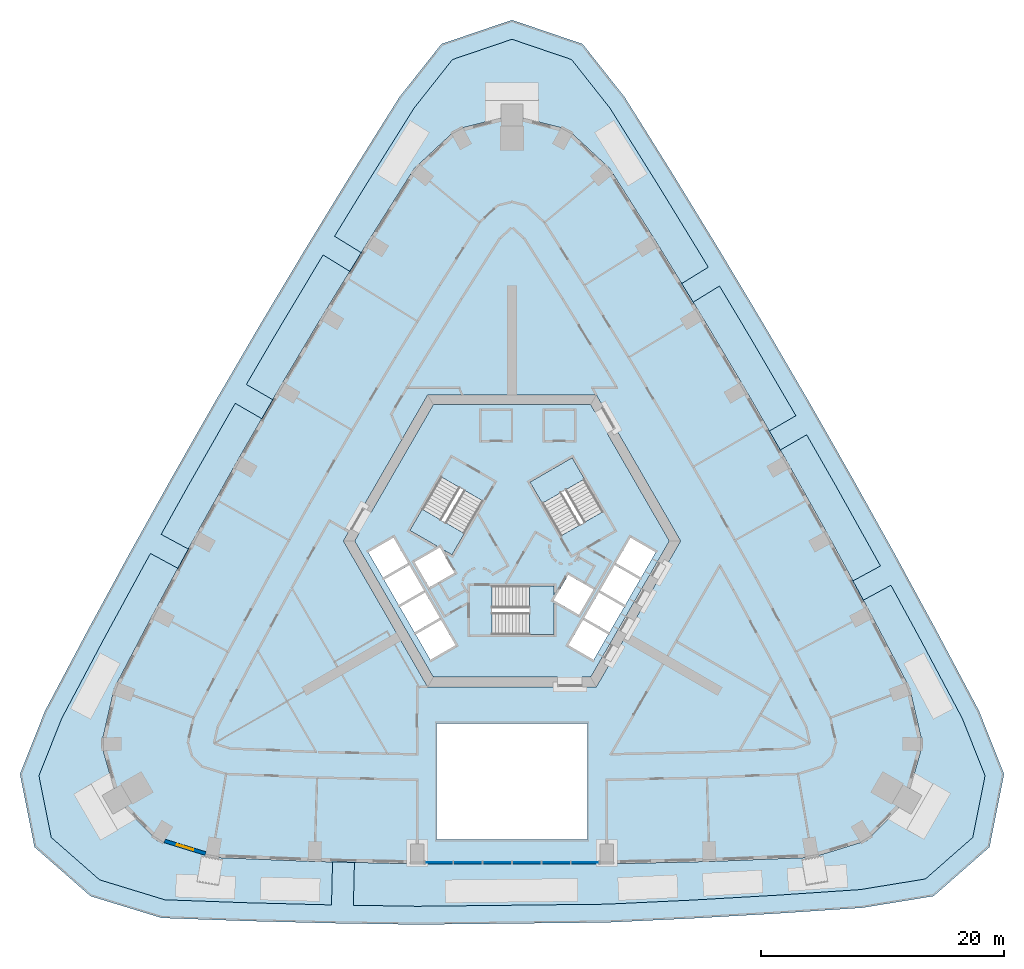
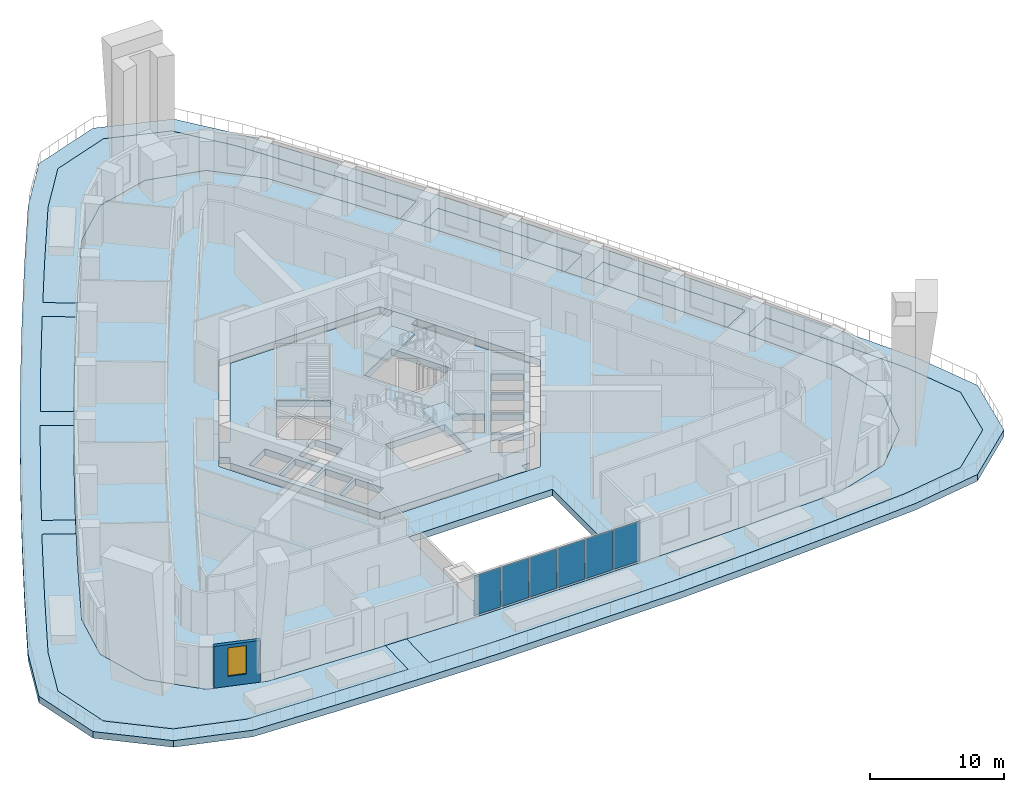
# One storey, part 3 of 16: 13 slabs, 6 plates, 1 wall, 1 window, 1 opening, 4 elements without a shape of their own.
"""IFC4 building model written with IfcOpenShell, lengths in metres."""

from ifc_helpers import new_model, si_unit, direction, frame, frame_2d, origin, origin_2d, place, context, subcontext, project, spatial, polyline, rectangle, outline, extrude, material, layer, layer_set, type_object, element, fill, aggregate, save


model = new_model("IFC4")

# Units and contexts
model_context = context("Model", 3, precision=1e-05, world=origin(), true_north=direction((0.0, 1.0)))
body_context = subcontext(model_context, "Body", "Model", "MODEL_VIEW")
ifc_project = project(units=[si_unit("LENGTHUNIT", "METRE"), si_unit("AREAUNIT", "SQUARE_METRE"), si_unit("VOLUMEUNIT", "CUBIC_METRE"), si_unit("PLANEANGLEUNIT", "RADIAN"), si_unit("MASSUNIT", "GRAM", prefix="KILO")], contexts=[model_context])

# Site, building, storey
site_placement = place(None, origin())
site = spatial("IfcSite", under=ifc_project, at=site_placement, CompositionType="ELEMENT")
building_placement = place(site_placement, origin())
building = spatial("IfcBuilding", under=site, at=building_placement, Name="Entoto Arch Interchange Tower", CompositionType="ELEMENT")
storey_placement = place(building_placement, frame((0.0, 0.0, 138.199951171875)))
storey = spatial("IfcBuildingStorey", under=building, at=storey_placement, Name="L30", CompositionType="ELEMENT", Elevation=138.199951171875)

# Slab
ifc_material_1 = material(Name="Concrete C40/50", Category="concrete")
ifc_layer_1 = layer(ifc_material_1, 0.60009765625)
ifc_layer_set_1 = layer_set([ifc_layer_1], Name="Concrete C40/50")
slab_type_1 = type_object("IfcSlabType", Name="Core floor slab 600 C40/50", PredefinedType="FLOOR", material=ifc_layer_set_1)
slab_1_placement = place(storey_placement, frame((0.0, 0.0, -0.599853515625)))
element("IfcSlab", 1, at=slab_1_placement, inside=storey, type_object=slab_type_1, Name="Core floor slab L30", PredefinedType="FLOOR", context=body_context, shape_type="SweptSolid", body=[
    extrude(outline(polyline([(5.75, -9.5), (3.75, -9.5), (3.75, -8.699951171875), (-6.466064453125, -8.699951171875), (-12.93310546875, 2.5), (-12.574951171875, 3.1201171875), (-13.26708984375, 3.52001953125), (-12.26708984375, 5.251953125), (-11.574951171875, 4.85205078125), (-6.466064453125, 13.699951171875), (6.466064453125, 13.699951171875), (6.823974609375, 13.080078125), (7.51708984375, 13.47998046875), (8.51708984375, 11.748046875), (7.823974609375, 11.347900390625), (12.93310546875, 2.5), (6.466064453125, -8.699951171875), (5.75, -8.699951171875), (5.75, -9.5)]), holes=[polyline([(-5.837890625, -3.988037109375), (-7.916015625, -5.18798828125), (-6.716064453125, -7.26708984375), (-4.637939453125, -6.06689453125), (-5.837890625, -3.988037109375)]), polyline([(-5.93798828125, -3.81494140625), (-7.137939453125, -1.737060546875), (-9.216064453125, -2.93701171875), (-8.01611328125, -5.014892578125), (-5.93798828125, -3.81494140625)]), polyline([(5.5048828125, -3.56494140625), (6.705078125, -1.487060546875), (4.626953125, -0.287109375), (3.449951171875, -2.324951171875), (3.449951171875, -1.199951171875), (-1.64990234375, -1.199951171875), (-1.64990234375, -5.199951171875), (3.449951171875, -5.199951171875), (3.449951171875, -2.3779296875), (5.5048828125, -3.56494140625)]), polyline([(-8.43798828125, 0.514892578125), (-10.51611328125, -0.68505859375), (-9.31591796875, -2.762939453125), (-7.238037109375, -1.56298828125), (-8.43798828125, 0.514892578125)]), polyline([(-4.72705078125, -0.113037109375), (-5.904052734375, 1.925048828125), (-4.928955078125, 1.362060546875), (-2.37890625, 5.779052734375), (-5.843017578125, 7.779052734375), (-8.39306640625, 3.362060546875), (-5.949951171875, 1.951904296875), (-8.0048828125, 0.764892578125), (-6.804931640625, -1.31298828125), (-4.72705078125, -0.113037109375)]), polyline([(-8.5380859375, 0.68798828125), (-9.738037109375, 2.76708984375), (-11.81591796875, 1.56689453125), (-10.615966796875, -0.511962890625), (-8.5380859375, 0.68798828125)]), polyline([(5.837890625, -3.988037109375), (4.637939453125, -6.06689453125), (6.716064453125, -7.26708984375), (7.916015625, -5.18798828125), (5.837890625, -3.988037109375)]), polyline([(7.137939453125, -1.737060546875), (5.93798828125, -3.81494140625), (8.01611328125, -5.014892578125), (9.216064453125, -2.93701171875), (7.137939453125, -1.737060546875)]), polyline([(8.43798828125, 0.514892578125), (7.238037109375, -1.56298828125), (9.31591796875, -2.762939453125), (10.51611328125, -0.68505859375), (8.43798828125, 0.514892578125)]), polyline([(9.738037109375, 2.76708984375), (8.5380859375, 0.68798828125), (10.615966796875, -0.511962890625), (11.81591796875, 1.56689453125), (9.738037109375, 2.76708984375)]), polyline([(4.029052734375, 2.9208984375), (7.492919921875, 4.9208984375), (4.943115234375, 9.337890625), (1.47900390625, 7.337890625), (4.029052734375, 2.9208984375)])]), origin(), (0.0, 0.0, 1.0), 0.599853515625),
])

# Stair, slab
stair_type = type_object("IfcStairType", Name="EXIT STAIR RC 1800", PredefinedType="HALF_TURN_STAIR", material=ifc_material_1)
stair_1_placement = place(storey_placement, origin())
stair_1 = element("IfcStair", 2, at=stair_1_placement, inside=storey, type_object=stair_type, Name="L30 Exit stair S", PredefinedType="HALF_TURN_STAIR")
ifc_layer_2 = layer(ifc_material_1, 0.199951171875)
ifc_layer_set_2 = layer_set([ifc_layer_2], Name="Concrete C40/50")
slab_type_2 = type_object("IfcSlabType", Name="EXIT STAIR LANDING RC 200", PredefinedType="LANDING", material=ifc_layer_set_2)
slab_2_placement = place(storey_placement, frame((0.0, 0.0, 1.900146484375)))
slab_2 = element("IfcSlab", 3, at=slab_2_placement, type_object=slab_type_2, Name="ST-S landing 1", PredefinedType="LANDING", context=body_context, shape_type="SweptSolid", body=[
    extrude(outline(polyline([(1.429931640625, -5.199951171875), (3.449951171875, -5.199951171875), (3.449951171875, -1.199951171875), (1.429931640625, -1.199951171875), (1.429931640625, -5.199951171875)])), origin(), (0.0, 0.0, 1.0), 0.199951171875),
])
aggregate(stair_1, [slab_2])

stair_2_placement = place(storey_placement, origin())
stair_2 = element("IfcStair", 4, at=stair_2_placement, inside=storey, type_object=stair_type, Name="L30 Exit stair NE", PredefinedType="HALF_TURN_STAIR")
slab_3_placement = place(storey_placement, frame((0.0, 0.0, 1.900146484375)))
slab_3 = element("IfcSlab", 5, at=slab_3_placement, type_object=slab_type_2, Name="ST-NE landing 1", PredefinedType="LANDING", context=body_context, shape_type="SweptSolid", body=[
    extrude(outline(polyline([(5.953369140625, 7.58837890625), (4.943359375, 9.337890625), (1.479248046875, 7.337890625), (2.4892578125, 5.58837890625), (5.953369140625, 7.58837890625)])), origin(), (0.0, 0.0, 1.0), 0.199951171875),
])
aggregate(stair_2, [slab_3])

stair_3_placement = place(storey_placement, origin())
stair_3 = element("IfcStair", 6, at=stair_3_placement, inside=storey, type_object=stair_type, Name="L30 Exit stair NW", PredefinedType="HALF_TURN_STAIR")
slab_4_placement = place(storey_placement, frame((0.0, 0.0, 1.900146484375)))
slab_4 = element("IfcSlab", 7, at=slab_4_placement, type_object=slab_type_2, Name="ST-NW landing 1", PredefinedType="LANDING", context=body_context, shape_type="SweptSolid", body=[
    extrude(outline(polyline([(-7.38330078125, 5.111572265625), (-8.393310546875, 3.3623046875), (-4.92919921875, 1.3623046875), (-3.919189453125, 3.111572265625), (-7.38330078125, 5.111572265625)])), origin(), (0.0, 0.0, 1.0), 0.199951171875),
])
aggregate(stair_3, [slab_4])

# Curtain wall, plates
ifc_material_2 = material(Name="Aluminium, anodised", Category="aluminium")
curtain_wall_type = type_object("IfcCurtainWallType", Name="CURTAIN WALL ATRIUM", PredefinedType="NOTDEFINED", material=ifc_material_2)
curtain_wall_placement = place(storey_placement, origin())
curtain_wall = element("IfcCurtainWall", 8, at=curtain_wall_placement, inside=storey, type_object=curtain_wall_type, Name="Atrium glazing S-03 L30", PredefinedType="NOTDEFINED")
ifc_material_3 = material(Name="Clear glass, low-e double glazed", Category="glass")
ifc_layer_3 = layer(ifc_material_3, 0.031982421875)
ifc_layer_set_3 = layer_set([ifc_layer_3], Name="Clear glass, low-e double glazed")
plate_type = type_object("IfcPlateType", Name="GLAZING PANEL ATRIUM 32", PredefinedType="CURTAIN_PANEL", material=ifc_layer_set_3)
plate_1_placement = place(storey_placement, frame((-6.015869140625, -23.916015625, 0.080078125), z_axis=(0.0, 0.0, 1.0), x_axis=(1.0, 0.0, 0.0)))
plate_1 = element("IfcPlate", 9, at=plate_1_placement, type_object=plate_type, Name="CWA panel 1.1", PredefinedType="CURTAIN_PANEL", context=body_context, shape_type="SweptSolid", body=[
    extrude(rectangle(XDim=2.266357421875, YDim=0.031982421875, at=origin_2d()), origin(), (0.0, 0.0, 1.0), 3.639892578125),
])
plate_2_placement = place(storey_placement, frame((-3.62451171875, -23.916015625, 0.080078125), z_axis=(0.0, 0.0, 1.0), x_axis=(1.0, 0.0, 0.0)))
plate_2 = element("IfcPlate", 10, at=plate_2_placement, type_object=plate_type, Name="CWA panel 2.1", PredefinedType="CURTAIN_PANEL", context=body_context, shape_type="SweptSolid", body=[
    extrude(rectangle(XDim=2.31640625, YDim=0.031982421875, at=origin_2d()), origin(), (0.0, 0.0, 1.0), 3.639892578125),
])
plate_3_placement = place(storey_placement, frame((-1.208251953125, -23.916015625, 0.080078125), z_axis=(0.0, 0.0, 1.0), x_axis=(1.0, 0.0, 0.0)))
plate_3 = element("IfcPlate", 11, at=plate_3_placement, type_object=plate_type, Name="CWA panel 3.1", PredefinedType="CURTAIN_PANEL", context=body_context, shape_type="SweptSolid", body=[
    extrude(rectangle(XDim=2.31640625, YDim=0.031982421875, at=origin_2d()), origin(), (0.0, 0.0, 1.0), 3.639892578125),
])
plate_4_placement = place(storey_placement, frame((1.208251953125, -23.916015625, 0.080078125), z_axis=(0.0, 0.0, 1.0), x_axis=(1.0, 0.0, 0.0)))
plate_4 = element("IfcPlate", 12, at=plate_4_placement, type_object=plate_type, Name="CWA panel 4.1", PredefinedType="CURTAIN_PANEL", context=body_context, shape_type="SweptSolid", body=[
    extrude(rectangle(XDim=2.31640625, YDim=0.031982421875, at=origin_2d()), origin(), (0.0, 0.0, 1.0), 3.639892578125),
])
plate_5_placement = place(storey_placement, frame((3.62451171875, -23.916015625, 0.080078125), z_axis=(0.0, 0.0, 1.0), x_axis=(1.0, 0.0, 0.0)))
plate_5 = element("IfcPlate", 13, at=plate_5_placement, type_object=plate_type, Name="CWA panel 5.1", PredefinedType="CURTAIN_PANEL", context=body_context, shape_type="SweptSolid", body=[
    extrude(rectangle(XDim=2.31640625, YDim=0.031982421875, at=origin_2d()), origin(), (0.0, 0.0, 1.0), 3.639892578125),
])
plate_6_placement = place(storey_placement, frame((6.015869140625, -23.916015625, 0.080078125), z_axis=(0.0, 0.0, 1.0), x_axis=(1.0, 0.0, 0.0)))
plate_6 = element("IfcPlate", 14, at=plate_6_placement, type_object=plate_type, Name="CWA panel 6.1", PredefinedType="CURTAIN_PANEL", context=body_context, shape_type="SweptSolid", body=[
    extrude(rectangle(XDim=2.266357421875, YDim=0.031982421875, at=origin_2d()), origin(), (0.0, 0.0, 1.0), 3.639892578125),
])
aggregate(curtain_wall, [plate_1, plate_2, plate_3, plate_4, plate_5, plate_6])

# Slabs
ifc_layer_4 = layer(ifc_material_1, 0.60009765625)
ifc_layer_set_4 = layer_set([ifc_layer_4], Name="Concrete C40/50")
slab_type_3 = type_object("IfcSlabType", Name="Post-tensioned flat plate 600 C40/50", PredefinedType="FLOOR", material=ifc_layer_set_4)
slab_5_placement = place(storey_placement, frame((0.0, 0.0, -0.599853515625)))
element("IfcSlab", 15, at=slab_5_placement, inside=storey, type_object=slab_type_3, Name="Floor slab L30", PredefinedType="FLOOR", context=body_context, shape_type="SweptSolid", body=[
    extrude(outline(polyline([(-24.6689453125, -23.5048828125), (-16.23388671875, -23.842041015625), (-7.800048828125, -24.041015625), (7.800048828125, -24.041015625), (16.23388671875, -23.842041015625), (24.6689453125, -23.5048828125), (29.176025390625, -22.1201171875), (32.469970703125, -18.74609375), (33.7451171875, -14.20703125), (32.68994140625, -9.611083984375), (29.419921875, -3.364990234375), (26.06396484375, 2.8369140625), (22.623046875, 8.990966796875), (19.097900390625, 15.096923828125), (15.489013671875, 21.154052734375), (11.7958984375, 27.160888671875), (8.02099609375, 33.115966796875), (4.569091796875, 36.326904296875), (0.0, 37.492919921875), (-4.569091796875, 36.326904296875), (-8.02099609375, 33.115966796875), (-11.7958984375, 27.160888671875), (-15.489013671875, 21.154052734375), (-19.097900390625, 15.096923828125), (-22.623046875, 8.990966796875), (-26.06396484375, 2.8369140625), (-29.419921875, -3.364990234375), (-32.68994140625, -9.611083984375), (-33.7451171875, -14.20703125), (-32.469970703125, -18.74609375), (-29.176025390625, -22.1201171875), (-24.6689453125, -23.5048828125)]), holes=[polyline([(6.199951171875, -22.041015625), (6.199951171875, -12.5), (-6.199951171875, -12.5), (-6.199951171875, -22.041015625), (6.199951171875, -22.041015625)]), polyline([(13.85595703125, 2.5), (6.927978515625, 14.5), (-6.927978515625, 14.5), (-13.85595703125, 2.5), (-6.927978515625, -9.5), (6.927978515625, -9.5), (13.85595703125, 2.5)])]), origin(), (0.0, 0.0, 1.0), 0.599853515625),
])
ifc_layer_5 = layer(ifc_material_1, 0.60009765625)
ifc_layer_set_5 = layer_set([ifc_layer_5], Name="Concrete C40/50")
slab_type_4 = type_object("IfcSlabType", Name="Post-tensioned planter bed slab 600 C40/50", PredefinedType="ROOF", material=ifc_layer_set_5)
slab_6_placement = place(storey_placement, frame((0.0, 0.0, -0.599853515625)))
element("IfcSlab", 16, at=slab_6_placement, inside=storey, type_object=slab_type_4, Name="Planter bed slab L30", PredefinedType="ROOF", context=body_context, shape_type="SweptSolid", body=[
    extrude(outline(polyline([(-14.75, -23.876953125), (-16.23388671875, -23.842041015625), (-24.6689453125, -23.5048828125), (-29.176025390625, -22.1201171875), (-32.469970703125, -18.74609375), (-33.7451171875, -14.20703125), (-32.68994140625, -9.611083984375), (-29.419921875, -3.364990234375), (-27.4619140625, 0.2529296875), (-29.7109375, 1.469970703125), (-30.113037109375, 0.7490234375), (-33.554931640625, -5.580078125), (-37.0048828125, -12.0830078125), (-38.876953125, -16.79296875), (-37.8701171875, -21.864990234375), (-33.888916015625, -25.35107421875), (-28.532958984375, -26.990966796875), (-21.742919921875, -27.23388671875), (-14.8330078125, -27.412109375), (-14.75, -23.876953125)])), origin(), (0.0, 0.0, 1.0), 0.599853515625),
])
slab_7_placement = place(storey_placement, frame((0.0, 0.0, -0.599853515625)))
element("IfcSlab", 17, at=slab_7_placement, inside=storey, type_object=slab_type_4, Name="Planter bed slab L30", PredefinedType="ROOF", context=body_context, shape_type="SweptSolid", body=[
    extrude(outline(polyline([(-7.800048828125, -24.041015625), (-12.949951171875, -23.9189453125), (-13.032958984375, -27.44091796875), (-7.7958984375, -27.52490234375), (7.756103515625, -27.35205078125), (14.716064453125, -27.02001953125), (21.695068359375, -26.618896484375), (28.613037109375, -26.152099609375), (33.970947265625, -25.280029296875), (37.8701171875, -21.864990234375), (38.876953125, -16.79296875), (37.0048828125, -12.0830078125), (33.554931640625, -5.580078125), (31.139892578125, -1.139892578125), (28.8779296875, -2.364013671875), (29.419921875, -3.364990234375), (32.68994140625, -9.611083984375), (33.7451171875, -14.20703125), (32.469970703125, -18.74609375), (29.176025390625, -22.1201171875), (24.6689453125, -23.5048828125), (16.23388671875, -23.842041015625), (7.800048828125, -24.041015625), (-7.800048828125, -24.041015625)])), origin(), (0.0, 0.0, 1.0), 0.599853515625),
])
slab_8_placement = place(storey_placement, frame((0.0, 0.0, -0.599853515625)))
element("IfcSlab", 18, at=slab_8_placement, inside=storey, type_object=slab_type_4, Name="Planter bed slab L30", PredefinedType="ROOF", context=body_context, shape_type="SweptSolid", body=[
    extrude(outline(polyline([(26.06396484375, 2.8369140625), (28.02197265625, -0.781005859375), (30.280029296875, 0.44091796875), (30.113037109375, 0.7490234375), (26.60595703125, 7.0419921875), (24.218994140625, 11.22607421875), (22.053955078125, 9.97607421875), (22.623046875, 8.990966796875), (26.06396484375, 2.8369140625)])), origin(), (0.0, 0.0, 1.0), 0.599853515625),
])
slab_9_placement = place(storey_placement, frame((0.0, 0.0, -0.599853515625)))
element("IfcSlab", 19, at=slab_9_placement, inside=storey, type_object=slab_type_4, Name="Planter bed slab L30", PredefinedType="ROOF", context=body_context, shape_type="SweptSolid", body=[
    extrude(outline(polyline([(19.097900390625, 15.096923828125), (21.154052734375, 11.534912109375), (23.326904296875, 12.7900390625), (23.035888671875, 13.300048828125), (19.403076171875, 19.52099609375), (17.052001953125, 23.450927734375), (14.89306640625, 22.1240234375), (15.489013671875, 21.154052734375), (19.097900390625, 15.096923828125)])), origin(), (0.0, 0.0, 1.0), 0.599853515625),
])
slab_10_placement = place(storey_placement, frame((0.0, 0.0, -0.599853515625)))
element("IfcSlab", 20, at=slab_10_placement, inside=storey, type_object=slab_type_4, Name="Planter bed slab L30", PredefinedType="ROOF", context=body_context, shape_type="SweptSolid", body=[
    extrude(outline(polyline([(11.7958984375, 27.160888671875), (13.949951171875, 23.656982421875), (16.12890625, 24.99609375), (15.7060546875, 25.7041015625), (11.945068359375, 31.85009765625), (8.0380859375, 38.089111328125), (4.89501953125, 42.06396484375), (0.0, 43.72998046875), (-4.89501953125, 42.06396484375), (-8.0380859375, 38.089111328125), (-11.945068359375, 31.85009765625), (-14.5830078125, 27.5390625), (-12.39208984375, 26.19189453125), (-11.7958984375, 27.160888671875), (-8.02099609375, 33.115966796875), (-4.569091796875, 36.326904296875), (0.0, 37.492919921875), (4.569091796875, 36.326904296875), (8.02099609375, 33.115966796875), (11.7958984375, 27.160888671875)])), origin(), (0.0, 0.0, 1.0), 0.599853515625),
])
slab_11_placement = place(storey_placement, frame((0.0, 0.0, -0.599853515625)))
element("IfcSlab", 21, at=slab_11_placement, inside=storey, type_object=slab_type_4, Name="Planter bed slab L30", PredefinedType="ROOF", context=body_context, shape_type="SweptSolid", body=[
    extrude(outline(polyline([(-15.489013671875, 21.154052734375), (-13.3349609375, 24.657958984375), (-15.52197265625, 26.0029296875), (-15.7060546875, 25.7041015625), (-19.403076171875, 19.52099609375), (-21.83203125, 15.362060546875), (-19.6669921875, 14.112060546875), (-19.097900390625, 15.096923828125), (-15.489013671875, 21.154052734375)])), origin(), (0.0, 0.0, 1.0), 0.599853515625),
])
slab_12_placement = place(storey_placement, frame((0.0, 0.0, -0.599853515625)))
element("IfcSlab", 22, at=slab_12_placement, inside=storey, type_object=slab_type_4, Name="Planter bed slab L30", PredefinedType="ROOF", context=body_context, shape_type="SweptSolid", body=[
    extrude(outline(polyline([(-22.623046875, 8.990966796875), (-20.56689453125, 12.552978515625), (-22.739990234375, 13.806884765625), (-23.035888671875, 13.300048828125), (-26.60595703125, 7.0419921875), (-28.8349609375, 3.0419921875), (-26.60595703125, 1.8359375), (-26.06396484375, 2.8369140625), (-22.623046875, 8.990966796875)])), origin(), (0.0, 0.0, 1.0), 0.599853515625),
])
ifc_layer_6 = layer(ifc_material_1, 0.60009765625)
ifc_layer_set_6 = layer_set([ifc_layer_6], Name="Concrete C40/50")
slab_type_5 = type_object("IfcSlabType", Name="Post-tensioned terrace slab 600 C40/50", PredefinedType="FLOOR", material=ifc_layer_set_6)
slab_13_placement = place(storey_placement, frame((0.0, 0.0, -0.599853515625)))
element("IfcSlab", 23, at=slab_13_placement, inside=storey, type_object=slab_type_5, Name="Ring terrace slab L30", PredefinedType="FLOOR", context=body_context, shape_type="SweptSolid", body=[
    extrude(outline(polyline([(-39.241943359375, -22.656982421875), (-34.635986328125, -26.69091796875), (-28.783935546875, -28.48291015625), (-21.7890625, -28.73291015625), (-14.794921875, -28.9130859375), (-13.069091796875, -28.94091796875), (-7.800048828125, -29.02490234375), (7.800048828125, -28.85205078125), (14.794921875, -28.51806640625), (21.7890625, -28.115966796875), (28.783935546875, -27.64404296875), (34.635986328125, -26.69091796875), (39.241943359375, -22.656982421875), (40.43408203125, -16.65087890625), (38.368896484375, -11.452880859375), (34.8759765625, -4.8701171875), (32.458984375, -0.427001953125), (31.427001953125, 1.471923828125), (27.9130859375, 7.779052734375), (25.51806640625, 11.97607421875), (24.3349609375, 14.050048828125), (20.694091796875, 20.283935546875), (17.406982421875, 25.781982421875), (16.989013671875, 26.47998046875), (13.219970703125, 32.638916015625), (9.26611328125, 38.955078125), (5.797119140625, 43.341064453125), (0.0, 45.31396484375), (-5.797119140625, 43.341064453125), (-9.26611328125, 38.955078125), (-13.219970703125, 32.638916015625), (-15.860107421875, 28.323974609375), (-16.800048828125, 26.7890625), (-16.989013671875, 26.47998046875), (-20.694091796875, 20.283935546875), (-24.3349609375, 14.050048828125), (-27.9130859375, 7.779052734375), (-30.154052734375, 3.756103515625), (-31.427001953125, 1.471923828125), (-34.8759765625, -4.8701171875), (-38.368896484375, -11.452880859375), (-40.43408203125, -16.65087890625), (-39.241943359375, -22.656982421875)]), holes=[polyline([(-13.032958984375, -27.44091796875), (-7.7958984375, -27.52490234375), (7.756103515625, -27.35205078125), (14.716064453125, -27.02001953125), (21.695068359375, -26.618896484375), (28.613037109375, -26.152099609375), (33.970947265625, -25.280029296875), (37.8701171875, -21.864990234375), (38.876953125, -16.79296875), (37.0048828125, -12.0830078125), (33.554931640625, -5.580078125), (31.139892578125, -1.139892578125), (28.8779296875, -2.364013671875), (28.02197265625, -0.781005859375), (30.280029296875, 0.44091796875), (30.113037109375, 0.7490234375), (26.60595703125, 7.0419921875), (24.218994140625, 11.22607421875), (22.053955078125, 9.97607421875), (21.154052734375, 11.534912109375), (23.326904296875, 12.7900390625), (23.035888671875, 13.300048828125), (19.403076171875, 19.52099609375), (17.052001953125, 23.450927734375), (14.89306640625, 22.1240234375), (13.949951171875, 23.656982421875), (16.12890625, 24.99609375), (15.7060546875, 25.7041015625), (11.945068359375, 31.85009765625), (8.0380859375, 38.089111328125), (4.89501953125, 42.06396484375), (0.0, 43.72998046875), (-4.89501953125, 42.06396484375), (-8.0380859375, 38.089111328125), (-11.945068359375, 31.85009765625), (-14.5830078125, 27.5390625), (-12.39208984375, 26.19189453125), (-13.3349609375, 24.657958984375), (-15.52197265625, 26.0029296875), (-15.7060546875, 25.7041015625), (-19.403076171875, 19.52099609375), (-21.83203125, 15.362060546875), (-19.6669921875, 14.112060546875), (-20.56689453125, 12.552978515625), (-22.739990234375, 13.806884765625), (-23.035888671875, 13.300048828125), (-26.60595703125, 7.0419921875), (-28.8349609375, 3.0419921875), (-26.60595703125, 1.8359375), (-27.4619140625, 0.2529296875), (-29.7109375, 1.469970703125), (-30.113037109375, 0.7490234375), (-33.554931640625, -5.580078125), (-37.0048828125, -12.0830078125), (-38.876953125, -16.79296875), (-37.8701171875, -21.864990234375), (-33.888916015625, -25.35107421875), (-28.532958984375, -26.990966796875), (-21.742919921875, -27.23388671875), (-14.8330078125, -27.412109375), (-14.75, -23.876953125), (-12.949951171875, -23.9189453125), (-13.032958984375, -27.44091796875)])]), origin(), (0.0, 0.0, 1.0), 0.599853515625),
])

# Wall, opening, window
ifc_material_4 = material(Name="Welded tuff (ignimbrite) cladding, warm buff", Category="masonry")
ifc_layer_7 = layer(ifc_material_4, 0.300048828125)
ifc_layer_set_7 = layer_set([ifc_layer_7], Name="Welded tuff (ignimbrite) cladding, warm buff")
wall_type = type_object("IfcWallType", Name="STONE INFILL WALL 300", PredefinedType="STANDARD", material=ifc_layer_set_7)
wall_placement = place(storey_placement, frame((-28.553955078125, -22.154052734375, 0.0), z_axis=(0.0, 0.0, 1.0), x_axis=(0.955874475611, -0.293775402094, 0.0)))
wall = element("IfcWall", 24, at=wall_placement, inside=storey, type_object=wall_type, Name="Facade wall SW-04 L30", PredefinedType="STANDARD", context=body_context, shape_type="SweptSolid", body=[
    extrude(rectangle(XDim=3.536865234375, YDim=0.300048828125, at=frame_2d((1.7685546875, 0.0))), origin(), (0.0, 0.0, 1.0), 3.800048828125),
])
opening_placement = place(wall_placement, frame((1.069091796875, 0.0, 0.89990234375)))
opening = element("IfcOpeningElement", 25, at=opening_placement, cuts=wall, Name="Opening WO-B", PredefinedType="OPENING", context=body_context, shape_type="SweptSolid", body=[
    extrude(rectangle(XDim=1.39990234375, YDim=2.60009765625, at=frame_2d((0.699951171875, 1.300048828125))), frame((0.0, 0.16015625, 0.0), z_axis=(0.0, -1.0, 0.0), x_axis=(1.0, 0.0, 0.0)), (0.0, 0.0, 1.0), 0.320068359375),
])
window_type = type_object("IfcWindowType", Name="WINDOW WO-B 1400x2600", PartitioningType="DOUBLE_PANEL_VERTICAL", PredefinedType="WINDOW", material=ifc_material_3)
window_placement = place(opening_placement, origin())
window = element("IfcWindow", 26, at=window_placement, inside=storey, type_object=window_type, Name="Window WO-B SW-04 L30", OverallHeight=2.60009765625, OverallWidth=1.39990234375, PartitioningType="SINGLE_PANEL", PredefinedType="WINDOW", context=body_context, shape_type="SweptSolid", body=[
    extrude(rectangle(XDim=1.39990234375, YDim=2.60009765625, at=frame_2d((0.699951171875, 1.300048828125))), frame((0.0, 0.030029296875, 0.0), z_axis=(0.0, -1.0, 0.0), x_axis=(1.0, 0.0, 0.0)), (0.0, 0.0, 1.0), 0.06005859375),
])
fill(opening, window)

save(model, "model.ifc")
